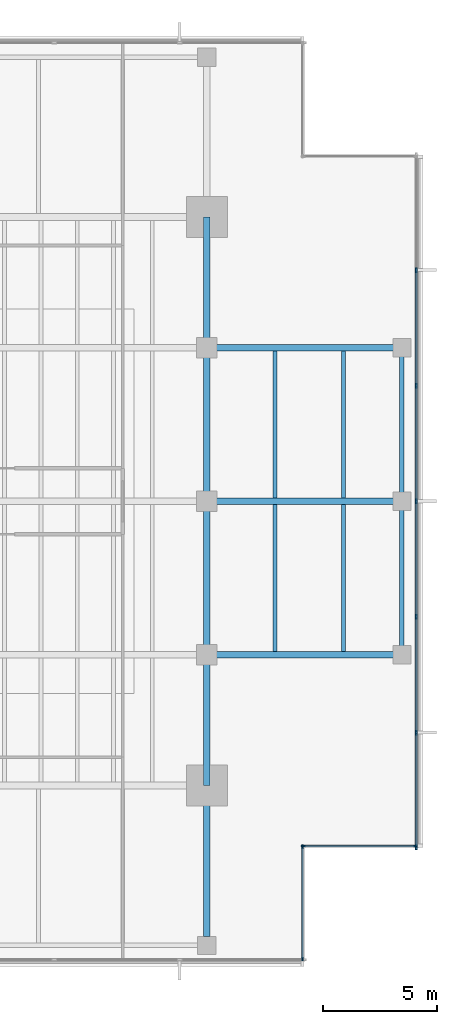
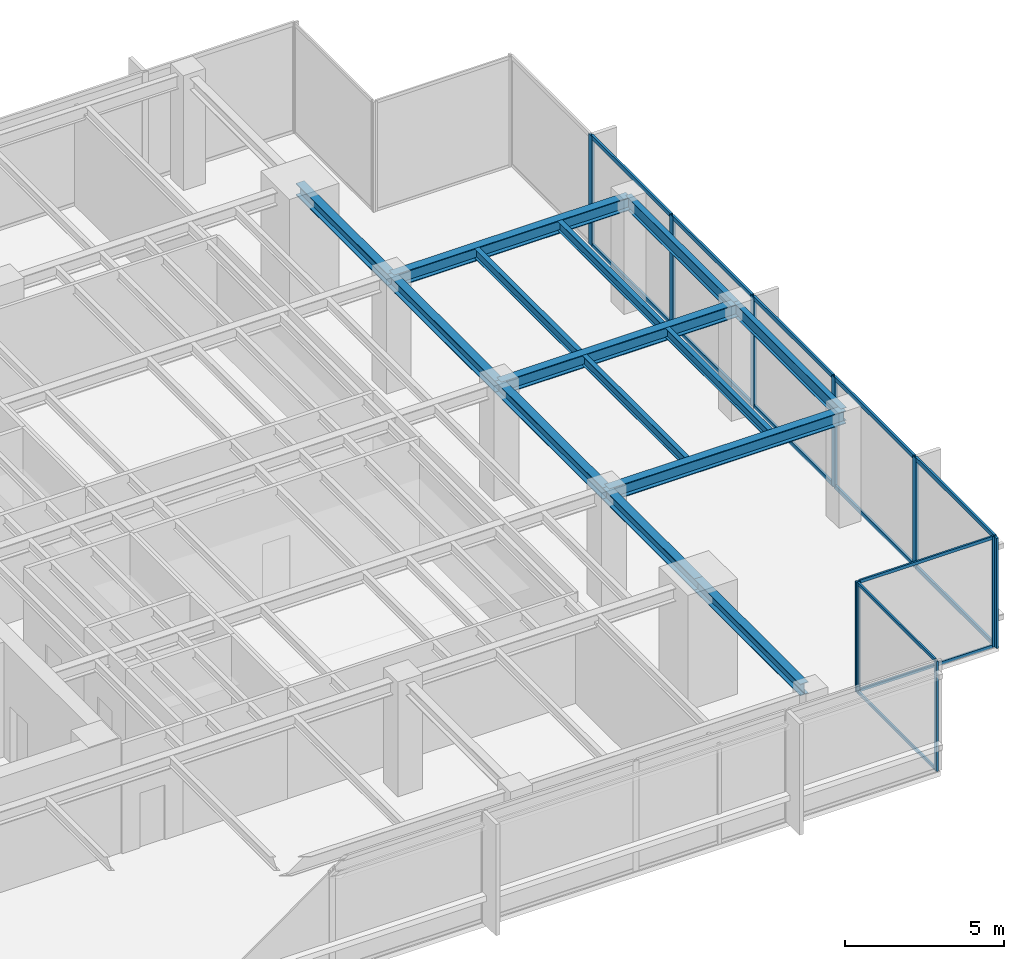
# One storey, part 4 of 14: 24 members, 14 beams, 3 elements without a shape of their own.
"""IFC4 building model written with IfcOpenShell, lengths in metres."""

from ifc_helpers import new_model, si_unit, direction, frame, origin, origin_2d, place, context, subcontext, project, spatial, rectangle, i_section, extrude, material, layer, layer_set, material_profile, profile_set, type_object, element, aggregate, save


model = new_model("IFC4")

# Units and contexts
model_context = context("Model", 3, precision=1e-05, world=origin(), true_north=direction((0.0, 1.0)))
body_context = subcontext(model_context, "Body", "Model", "MODEL_VIEW")
ifc_project = project(units=[si_unit("LENGTHUNIT", "METRE"), si_unit("AREAUNIT", "SQUARE_METRE"), si_unit("VOLUMEUNIT", "CUBIC_METRE"), si_unit("PLANEANGLEUNIT", "RADIAN"), si_unit("MASSUNIT", "GRAM", prefix="KILO")], contexts=[model_context])

# Site, building, storey
site_placement = place(None, origin())
site = spatial("IfcSite", under=ifc_project, at=site_placement, CompositionType="ELEMENT")
building_placement = place(site_placement, origin())
building = spatial("IfcBuilding", under=site, at=building_placement, Name="Kinhvarn Gate Tower", CompositionType="ELEMENT")
storey_placement = place(building_placement, frame((0.0, 0.0, 183.64990234375)))
storey = spatial("IfcBuildingStorey", under=building, at=storey_placement, Name="L48", CompositionType="ELEMENT", Elevation=183.64990234375)

# Curtain wall, members
ifc_material_1 = material(Name="Anodised aluminium AW-6063", Category="aluminium")
ifc_layer_1 = layer(ifc_material_1, 0.179931640625)
ifc_layer_set_1 = layer_set([ifc_layer_1], Name="Anodised aluminium AW-6063")
curtain_wall_type_1 = type_object("IfcCurtainWallType", Name="CW-SYS-4", PredefinedType="NOTDEFINED", material=ifc_layer_set_1)
curtain_wall_1_placement = place(storey_placement, origin())
curtain_wall_1 = element("IfcCurtainWall", 1, at=curtain_wall_1_placement, inside=storey, type_object=curtain_wall_type_1, Name="Curtain Wall CW4 (L48)", PredefinedType="NOTDEFINED")
ifc_material_profile_1 = material_profile(ifc_material_1, rectangle(XDim=0.06494140625, YDim=0.159912109375, at=origin_2d()), Name="ALU 65x160")
ifc_profile_set_1 = profile_set([ifc_material_profile_1], Name="Anodised aluminium AW-6063")
member_type_1 = type_object("IfcMemberType", Name="CW-MUL-160", PredefinedType="MULLION", material=ifc_profile_set_1)
member_1_placement = place(storey_placement, frame((42.409912109375, 5.12255859375, 0.0), z_axis=(0.0, 0.0, 1.0), x_axis=(-1.0, 0.0, 0.0)))
member_1 = element("IfcMember", 2, at=member_1_placement, type_object=member_type_1, Name="CW4 mullion 1", PredefinedType="MULLION", context=body_context, shape_type="SweptSolid", body=[
    extrude(rectangle(XDim=0.06494140625, YDim=0.159912109375, at=origin_2d()), origin(), (0.0, 0.0, 1.0), 4.22021484375),
])
member_2_placement = place(storey_placement, frame((42.409912109375, 10.0576171875, 0.0), z_axis=(0.0, 0.0, 1.0), x_axis=(-1.0, 0.0, 0.0)))
member_2 = element("IfcMember", 3, at=member_2_placement, type_object=member_type_1, Name="CW4 mullion 2", PredefinedType="MULLION", context=body_context, shape_type="SweptSolid", body=[
    extrude(rectangle(XDim=0.06494140625, YDim=0.159912109375, at=origin_2d()), origin(), (0.0, 0.0, 1.0), 4.22021484375),
])

curtain_wall_2_placement = place(storey_placement, origin())
curtain_wall_2 = element("IfcCurtainWall", 4, at=curtain_wall_2_placement, inside=storey, type_object=curtain_wall_type_1, Name="Curtain Wall CW4 (L48)", PredefinedType="NOTDEFINED")
member_3_placement = place(storey_placement, frame((42.4423828125, 10.090087890625, 0.0), z_axis=(0.0, 0.0, 1.0), x_axis=(0.0, 1.0, 0.0)))
member_3 = element("IfcMember", 5, at=member_3_placement, type_object=member_type_1, Name="CW4 mullion 1", PredefinedType="MULLION", context=body_context, shape_type="SweptSolid", body=[
    extrude(rectangle(XDim=0.06494140625, YDim=0.159912109375, at=origin_2d()), origin(), (0.0, 0.0, 1.0), 4.22021484375),
])
member_4_placement = place(storey_placement, frame((47.37744140625, 10.090087890625, 0.0), z_axis=(0.0, 0.0, 1.0), x_axis=(0.0, 1.0, 0.0)))
member_4 = element("IfcMember", 6, at=member_4_placement, type_object=member_type_1, Name="CW4 mullion 2", PredefinedType="MULLION", context=body_context, shape_type="SweptSolid", body=[
    extrude(rectangle(XDim=0.06494140625, YDim=0.159912109375, at=origin_2d()), origin(), (0.0, 0.0, 1.0), 4.22021484375),
])

ifc_layer_2 = layer(ifc_material_1, 0.219970703125)
ifc_layer_set_2 = layer_set([ifc_layer_2], Name="Anodised aluminium AW-6063")
curtain_wall_type_2 = type_object("IfcCurtainWallType", Name="CW-SYS-5", PredefinedType="NOTDEFINED", material=ifc_layer_set_2)
curtain_wall_3_placement = place(storey_placement, origin())
curtain_wall_3 = element("IfcCurtainWall", 7, at=curtain_wall_3_placement, inside=storey, type_object=curtain_wall_type_2, Name="Curtain Wall CW5 (L48)", PredefinedType="NOTDEFINED")
ifc_material_profile_2 = material_profile(ifc_material_1, rectangle(XDim=0.080078125, YDim=0.219970703125, at=origin_2d()), Name="ALU 80x220")
ifc_profile_set_2 = profile_set([ifc_material_profile_2], Name="Anodised aluminium AW-6063")
member_type_2 = type_object("IfcMemberType", Name="CW-MUL-220", PredefinedType="MULLION", material=ifc_profile_set_2)
member_5_placement = place(storey_placement, frame((47.409912109375, 10.0400390625, 0.0), z_axis=(0.0, 0.0, 1.0), x_axis=(-1.0, 0.0, 0.0)))
member_5 = element("IfcMember", 8, at=member_5_placement, type_object=member_type_2, Name="CW5 mullion 1", PredefinedType="MULLION", context=body_context, shape_type="SweptSolid", body=[
    extrude(rectangle(XDim=0.080078125, YDim=0.219970703125, at=origin_2d()), origin(), (0.0, 0.0, 1.0), 4.22021484375),
])
member_6_placement = place(storey_placement, frame((47.409912109375, 15.083251953125, 0.0), z_axis=(0.0, 0.0, 1.0), x_axis=(-1.0, 0.0, 0.0)))
member_6 = element("IfcMember", 9, at=member_6_placement, type_object=member_type_2, Name="CW5 mullion 2", PredefinedType="MULLION", context=body_context, shape_type="SweptSolid", body=[
    extrude(rectangle(XDim=0.080078125, YDim=0.219970703125, at=origin_2d()), origin(), (0.0, 0.0, 1.0), 4.22021484375),
])
member_7_placement = place(storey_placement, frame((47.409912109375, 20.166748046875, 0.0), z_axis=(0.0, 0.0, 1.0), x_axis=(-1.0, 0.0, 0.0)))
member_7 = element("IfcMember", 10, at=member_7_placement, type_object=member_type_2, Name="CW5 mullion 3", PredefinedType="MULLION", context=body_context, shape_type="SweptSolid", body=[
    extrude(rectangle(XDim=0.080078125, YDim=0.219970703125, at=origin_2d()), origin(), (0.0, 0.0, 1.0), 4.22021484375),
])
member_8_placement = place(storey_placement, frame((47.409912109375, 25.25, 0.0), z_axis=(0.0, 0.0, 1.0), x_axis=(-1.0, 0.0, 0.0)))
member_8 = element("IfcMember", 11, at=member_8_placement, type_object=member_type_2, Name="CW5 mullion 4", PredefinedType="MULLION", context=body_context, shape_type="SweptSolid", body=[
    extrude(rectangle(XDim=0.080078125, YDim=0.219970703125, at=origin_2d()), origin(), (0.0, 0.0, 1.0), 4.22021484375),
])
member_9_placement = place(storey_placement, frame((47.409912109375, 30.333251953125, 0.0), z_axis=(0.0, 0.0, 1.0), x_axis=(-1.0, 0.0, 0.0)))
member_9 = element("IfcMember", 12, at=member_9_placement, type_object=member_type_2, Name="CW5 mullion 5", PredefinedType="MULLION", context=body_context, shape_type="SweptSolid", body=[
    extrude(rectangle(XDim=0.080078125, YDim=0.219970703125, at=origin_2d()), origin(), (0.0, 0.0, 1.0), 4.22021484375),
])
member_10_placement = place(storey_placement, frame((47.409912109375, 35.416748046875, 0.0), z_axis=(0.0, 0.0, 1.0), x_axis=(-1.0, 0.0, 0.0)))
member_10 = element("IfcMember", 13, at=member_10_placement, type_object=member_type_2, Name="CW5 mullion 6", PredefinedType="MULLION", context=body_context, shape_type="SweptSolid", body=[
    extrude(rectangle(XDim=0.080078125, YDim=0.219970703125, at=origin_2d()), origin(), (0.0, 0.0, 1.0), 4.22021484375),
])

# Member
ifc_material_profile_3 = material_profile(ifc_material_1, rectangle(XDim=0.06494140625, YDim=0.1201171875, at=origin_2d()), Name="ALU 65x120")
ifc_profile_set_3 = profile_set([ifc_material_profile_3], Name="Anodised aluminium AW-6063")
member_type_3 = type_object("IfcMemberType", Name="CW-TRN-120", PredefinedType="USERDEFINED", material=ifc_profile_set_3)
member_11_placement = place(storey_placement, frame((42.409912109375, 5.155029296875, 0.03271484375), z_axis=(0.0, 1.0, 0.0), x_axis=(-1.0, 0.0, 0.0)))
member_11 = element("IfcMember", 14, at=member_11_placement, type_object=member_type_3, Name="CW4 transom 1.1", ObjectType="TRANSOM", PredefinedType="USERDEFINED", context=body_context, shape_type="SweptSolid", body=[
    extrude(rectangle(XDim=0.06494140625, YDim=0.1201171875, at=origin_2d()), origin(), (0.0, 0.0, 1.0), 4.869873046875),
])

member_12_placement = place(storey_placement, frame((42.409912109375, 5.155029296875, 4.1875), z_axis=(0.0, 1.0, 0.0), x_axis=(-1.0, 0.0, 0.0)))
member_12 = element("IfcMember", 15, at=member_12_placement, type_object=member_type_3, Name="CW4 transom 1.2", ObjectType="TRANSOM", PredefinedType="USERDEFINED", context=body_context, shape_type="SweptSolid", body=[
    extrude(rectangle(XDim=0.06494140625, YDim=0.1201171875, at=origin_2d()), origin(), (0.0, 0.0, 1.0), 4.869873046875),
])

aggregate(curtain_wall_1, [member_1, member_2, member_11, member_12])

member_13_placement = place(storey_placement, frame((42.47509765625, 10.090087890625, 0.03271484375), z_axis=(1.0, 0.0, 0.0), x_axis=(0.0, 1.0, 0.0)))
member_13 = element("IfcMember", 16, at=member_13_placement, type_object=member_type_3, Name="CW4 transom 1.1", ObjectType="TRANSOM", PredefinedType="USERDEFINED", context=body_context, shape_type="SweptSolid", body=[
    extrude(rectangle(XDim=0.06494140625, YDim=0.1201171875, at=origin_2d()), origin(), (0.0, 0.0, 1.0), 4.869873046875),
])

member_14_placement = place(storey_placement, frame((42.47509765625, 10.090087890625, 4.1875), z_axis=(1.0, 0.0, 0.0), x_axis=(0.0, 1.0, 0.0)))
member_14 = element("IfcMember", 17, at=member_14_placement, type_object=member_type_3, Name="CW4 transom 1.2", ObjectType="TRANSOM", PredefinedType="USERDEFINED", context=body_context, shape_type="SweptSolid", body=[
    extrude(rectangle(XDim=0.06494140625, YDim=0.1201171875, at=origin_2d()), origin(), (0.0, 0.0, 1.0), 4.869873046875),
])

aggregate(curtain_wall_2, [member_3, member_4, member_13, member_14])

ifc_material_profile_4 = material_profile(ifc_material_1, rectangle(XDim=0.080078125, YDim=0.159912109375, at=origin_2d()), Name="ALU 80x160")
ifc_profile_set_4 = profile_set([ifc_material_profile_4], Name="Anodised aluminium AW-6063")
member_type_4 = type_object("IfcMemberType", Name="CW-TRN-160", PredefinedType="USERDEFINED", material=ifc_profile_set_4)
member_15_placement = place(storey_placement, frame((47.409912109375, 10.080078125, 0.0400390625), z_axis=(0.0, 1.0, 0.0), x_axis=(-1.0, 0.0, 0.0)))
member_15 = element("IfcMember", 18, at=member_15_placement, type_object=member_type_4, Name="CW5 transom 1.1", ObjectType="TRANSOM", PredefinedType="USERDEFINED", context=body_context, shape_type="SweptSolid", body=[
    extrude(rectangle(XDim=0.080078125, YDim=0.159912109375, at=origin_2d()), origin(), (0.0, 0.0, 1.0), 4.963134765625),
])

member_16_placement = place(storey_placement, frame((47.409912109375, 10.080078125, 4.18017578125), z_axis=(0.0, 1.0, 0.0), x_axis=(-1.0, 0.0, 0.0)))
member_16 = element("IfcMember", 19, at=member_16_placement, type_object=member_type_4, Name="CW5 transom 1.2", ObjectType="TRANSOM", PredefinedType="USERDEFINED", context=body_context, shape_type="SweptSolid", body=[
    extrude(rectangle(XDim=0.080078125, YDim=0.159912109375, at=origin_2d()), origin(), (0.0, 0.0, 1.0), 4.963134765625),
])

member_17_placement = place(storey_placement, frame((47.409912109375, 15.123291015625, 0.0400390625), z_axis=(0.0, 1.0, 0.0), x_axis=(-1.0, 0.0, 0.0)))
member_17 = element("IfcMember", 20, at=member_17_placement, type_object=member_type_4, Name="CW5 transom 2.1", ObjectType="TRANSOM", PredefinedType="USERDEFINED", context=body_context, shape_type="SweptSolid", body=[
    extrude(rectangle(XDim=0.080078125, YDim=0.159912109375, at=origin_2d()), origin(), (0.0, 0.0, 1.0), 5.00341796875),
])

member_18_placement = place(storey_placement, frame((47.409912109375, 15.123291015625, 4.18017578125), z_axis=(0.0, 1.0, 0.0), x_axis=(-1.0, 0.0, 0.0)))
member_18 = element("IfcMember", 21, at=member_18_placement, type_object=member_type_4, Name="CW5 transom 2.2", ObjectType="TRANSOM", PredefinedType="USERDEFINED", context=body_context, shape_type="SweptSolid", body=[
    extrude(rectangle(XDim=0.080078125, YDim=0.159912109375, at=origin_2d()), origin(), (0.0, 0.0, 1.0), 5.00341796875),
])

member_19_placement = place(storey_placement, frame((47.409912109375, 20.206787109375, 0.0400390625), z_axis=(0.0, 1.0, 0.0), x_axis=(-1.0, 0.0, 0.0)))
member_19 = element("IfcMember", 22, at=member_19_placement, type_object=member_type_4, Name="CW5 transom 3.1", ObjectType="TRANSOM", PredefinedType="USERDEFINED", context=body_context, shape_type="SweptSolid", body=[
    extrude(rectangle(XDim=0.080078125, YDim=0.159912109375, at=origin_2d()), origin(), (0.0, 0.0, 1.0), 5.003173828125),
])

member_20_placement = place(storey_placement, frame((47.409912109375, 20.206787109375, 4.18017578125), z_axis=(0.0, 1.0, 0.0), x_axis=(-1.0, 0.0, 0.0)))
member_20 = element("IfcMember", 23, at=member_20_placement, type_object=member_type_4, Name="CW5 transom 3.2", ObjectType="TRANSOM", PredefinedType="USERDEFINED", context=body_context, shape_type="SweptSolid", body=[
    extrude(rectangle(XDim=0.080078125, YDim=0.159912109375, at=origin_2d()), origin(), (0.0, 0.0, 1.0), 5.003173828125),
])

member_21_placement = place(storey_placement, frame((47.409912109375, 25.2900390625, 0.0400390625), z_axis=(0.0, 1.0, 0.0), x_axis=(-1.0, 0.0, 0.0)))
member_21 = element("IfcMember", 24, at=member_21_placement, type_object=member_type_4, Name="CW5 transom 4.1", ObjectType="TRANSOM", PredefinedType="USERDEFINED", context=body_context, shape_type="SweptSolid", body=[
    extrude(rectangle(XDim=0.080078125, YDim=0.159912109375, at=origin_2d()), origin(), (0.0, 0.0, 1.0), 5.003173828125),
])

member_22_placement = place(storey_placement, frame((47.409912109375, 25.2900390625, 4.18017578125), z_axis=(0.0, 1.0, 0.0), x_axis=(-1.0, 0.0, 0.0)))
member_22 = element("IfcMember", 25, at=member_22_placement, type_object=member_type_4, Name="CW5 transom 4.2", ObjectType="TRANSOM", PredefinedType="USERDEFINED", context=body_context, shape_type="SweptSolid", body=[
    extrude(rectangle(XDim=0.080078125, YDim=0.159912109375, at=origin_2d()), origin(), (0.0, 0.0, 1.0), 5.003173828125),
])

member_23_placement = place(storey_placement, frame((47.409912109375, 30.373291015625, 0.0400390625), z_axis=(0.0, 1.0, 0.0), x_axis=(-1.0, 0.0, 0.0)))
member_23 = element("IfcMember", 26, at=member_23_placement, type_object=member_type_4, Name="CW5 transom 5.1", ObjectType="TRANSOM", PredefinedType="USERDEFINED", context=body_context, shape_type="SweptSolid", body=[
    extrude(rectangle(XDim=0.080078125, YDim=0.159912109375, at=origin_2d()), origin(), (0.0, 0.0, 1.0), 5.00341796875),
])

member_24_placement = place(storey_placement, frame((47.409912109375, 30.373291015625, 4.18017578125), z_axis=(0.0, 1.0, 0.0), x_axis=(-1.0, 0.0, 0.0)))
member_24 = element("IfcMember", 27, at=member_24_placement, type_object=member_type_4, Name="CW5 transom 5.2", ObjectType="TRANSOM", PredefinedType="USERDEFINED", context=body_context, shape_type="SweptSolid", body=[
    extrude(rectangle(XDim=0.080078125, YDim=0.159912109375, at=origin_2d()), origin(), (0.0, 0.0, 1.0), 5.00341796875),
])

aggregate(curtain_wall_3, [member_5, member_6, member_7, member_8, member_9, member_10, member_15, member_16, member_17, member_18, member_19, member_20, member_21, member_22, member_23, member_24])

# Beams
ifc_material_2 = material(Name="Steel S355", Category="steel")
ifc_material_profile_5 = material_profile(ifc_material_2, i_section(OverallWidth=0.300048828125, OverallDepth=0.449951171875, WebThickness=0.013916015625, FlangeThickness=0.02587890625, at=origin_2d()), Name="HEB 450")
ifc_profile_set_5 = profile_set([ifc_material_profile_5], Name="Steel S355")
beam_type_1 = type_object("IfcBeamType", Name="STL-HEB450", PredefinedType="BEAM", material=ifc_profile_set_5)
beam_1_placement = place(storey_placement, frame((38.199951171875, 6.10498046875, 3.9951171875), z_axis=(0.0, 1.0, 0.0), x_axis=(-1.0, 0.0, 0.0)))
element("IfcBeam", 28, at=beam_1_placement, inside=storey, type_object=beam_type_1, Name="Floor Beam PG-13 (L48 MCE-S)", PredefinedType="BEAM", context=body_context, shape_type="SweptSolid", body=[
    extrude(i_section(OverallWidth=0.300048828125, OverallDepth=0.449951171875, WebThickness=0.013916015625, FlangeThickness=0.02587890625, at=origin_2d()), origin(), (0.0, 0.0, 1.0), 6.64501953125),
])
beam_2_placement = place(storey_placement, frame((38.199951171875, 12.75, 3.9951171875), z_axis=(0.0, 1.0, 0.0), x_axis=(-1.0, 0.0, 0.0)))
element("IfcBeam", 29, at=beam_2_placement, inside=storey, type_object=beam_type_1, Name="Floor Beam PG-13 (L48 MG-E-12)", PredefinedType="BEAM", context=body_context, shape_type="SweptSolid", body=[
    extrude(i_section(OverallWidth=0.300048828125, OverallDepth=0.449951171875, WebThickness=0.013916015625, FlangeThickness=0.02587890625, at=origin_2d()), origin(), (0.0, 0.0, 1.0), 5.75),
])
for number, where, z_axis, x_axis, name in (
    (30, (38.199951171875, 18.5, 3.9951171875), (0.0, 1.0, 0.0), (-1.0, 0.0, 0.0), "Floor Beam PG-13 (L48 MG-E-18)"),
    (31, (38.199951171875, 25.25, 3.9951171875), (0.0, 1.0, 0.0), (-1.0, 0.0, 0.0), "Floor Beam PG-13 (L48 MG-E-25)"),
):
    element("IfcBeam", number, at=place(storey_placement, frame(where, z_axis=z_axis, x_axis=x_axis)), inside=storey, type_object=beam_type_1, Name=name, PredefinedType="BEAM", context=body_context, shape_type="SweptSolid", body=[
        extrude(i_section(OverallWidth=0.300048828125, OverallDepth=0.449951171875, WebThickness=0.013916015625, FlangeThickness=0.02587890625, at=origin_2d()), origin(), (0.0, 0.0, 1.0), 6.75),
    ])
beam_3_placement = place(storey_placement, frame((38.199951171875, 32.0, 3.9951171875), z_axis=(0.0, 1.0, 0.0), x_axis=(-1.0, 0.0, 0.0)))
element("IfcBeam", 32, at=beam_3_placement, inside=storey, type_object=beam_type_1, Name="Floor Beam PG-13 (L48 MG-E-32)", PredefinedType="BEAM", context=body_context, shape_type="SweptSolid", body=[
    extrude(i_section(OverallWidth=0.300048828125, OverallDepth=0.449951171875, WebThickness=0.013916015625, FlangeThickness=0.02587890625, at=origin_2d()), origin(), (0.0, 0.0, 1.0), 5.75),
])
ifc_material_profile_6 = material_profile(ifc_material_2, i_section(OverallWidth=0.300048828125, OverallDepth=0.5, WebThickness=0.014404296875, FlangeThickness=0.028076171875, at=origin_2d()), Name="HEB 500")
ifc_profile_set_6 = profile_set([ifc_material_profile_6], Name="Steel S355")
beam_type_2 = type_object("IfcBeamType", Name="STL-HEB500", PredefinedType="BEAM", material=ifc_profile_set_6)
for number, where, z_axis, x_axis, name in (
    (33, (38.199951171875, 18.5, 3.97021484375), (1.0, 0.0, 0.0), (0.0, 1.0, 0.0), "Floor Beam PG-14 (L48 EW2-Y18)"),
    (34, (38.199951171875, 25.25, 3.97021484375), (1.0, 0.0, 0.0), (0.0, 1.0, 0.0), "Floor Beam PG-14 (L48 EW2-Y25)"),
    (35, (38.199951171875, 32.0, 3.97021484375), (1.0, 0.0, 0.0), (0.0, 1.0, 0.0), "Floor Beam PG-14 (L48 EW2-Y32)"),
):
    element("IfcBeam", number, at=place(storey_placement, frame(where, z_axis=z_axis, x_axis=x_axis)), inside=storey, type_object=beam_type_2, Name=name, PredefinedType="BEAM", context=body_context, shape_type="SweptSolid", body=[
        extrude(i_section(OverallWidth=0.300048828125, OverallDepth=0.5, WebThickness=0.014404296875, FlangeThickness=0.028076171875, at=origin_2d()), origin(), (0.0, 0.0, 1.0), 8.580078125),
    ])
ifc_material_profile_7 = material_profile(ifc_material_2, i_section(OverallWidth=0.169921875, OverallDepth=0.360107421875, WebThickness=0.008056640625, FlangeThickness=0.0126953125, at=origin_2d()), Name="IPE 360")
ifc_profile_set_7 = profile_set([ifc_material_profile_7], Name="Steel S355")
beam_type_3 = type_object("IfcBeamType", Name="STL-IPE360", PredefinedType="JOIST", material=ifc_profile_set_7)
for number, where, z_axis, x_axis, name in (
    (36, (41.199951171875, 18.64990234375, 4.0400390625), (0.0, 1.0, 0.0), (-1.0, 0.0, 0.0), "Floor Joist SB-04 (L48 JC-X412-1)"),
    (37, (41.199951171875, 25.39990234375, 4.0400390625), (0.0, 1.0, 0.0), (-1.0, 0.0, 0.0), "Floor Joist SB-04 (L48 JC-X412-2)"),
    (38, (44.2099609375, 18.64990234375, 4.0400390625), (0.0, 1.0, 0.0), (-1.0, 0.0, 0.0), "Floor Joist SB-04 (L48 JC-X442-1)"),
    (39, (44.2099609375, 25.39990234375, 4.0400390625), (0.0, 1.0, 0.0), (-1.0, 0.0, 0.0), "Floor Joist SB-04 (L48 JC-X442-2)"),
):
    element("IfcBeam", number, at=place(storey_placement, frame(where, z_axis=z_axis, x_axis=x_axis)), inside=storey, type_object=beam_type_3, Name=name, PredefinedType="JOIST", context=body_context, shape_type="SweptSolid", body=[
        extrude(i_section(OverallWidth=0.169921875, OverallDepth=0.360107421875, WebThickness=0.008056640625, FlangeThickness=0.0126953125, at=origin_2d()), origin(), (0.0, 0.0, 1.0), 6.4501953125),
    ])
ifc_material_profile_8 = material_profile(ifc_material_2, i_section(OverallWidth=0.199951171875, OverallDepth=0.5, WebThickness=0.01025390625, FlangeThickness=0.01611328125, at=origin_2d()), Name="IPE 500")
ifc_profile_set_8 = profile_set([ifc_material_profile_8], Name="Steel S355")
beam_type_4 = type_object("IfcBeamType", Name="STL-IPE500", PredefinedType="SPANDREL", material=ifc_profile_set_8)
for number, where, z_axis, x_axis, name in (
    (40, (46.780029296875, 18.5, 3.97021484375), (0.0, 1.0, 0.0), (-1.0, 0.0, 0.0), "Floor Spandrel SB-07 (L48 SP-E2)"),
    (41, (46.780029296875, 25.25, 3.97021484375), (0.0, 1.0, 0.0), (-1.0, 0.0, 0.0), "Floor Spandrel SB-07 (L48 SP-E3)"),
):
    element("IfcBeam", number, at=place(storey_placement, frame(where, z_axis=z_axis, x_axis=x_axis)), inside=storey, type_object=beam_type_4, Name=name, PredefinedType="SPANDREL", context=body_context, shape_type="SweptSolid", body=[
        extrude(i_section(OverallWidth=0.199951171875, OverallDepth=0.5, WebThickness=0.01025390625, FlangeThickness=0.01611328125, at=origin_2d()), origin(), (0.0, 0.0, 1.0), 6.75),
    ])

save(model, "model.ifc")
